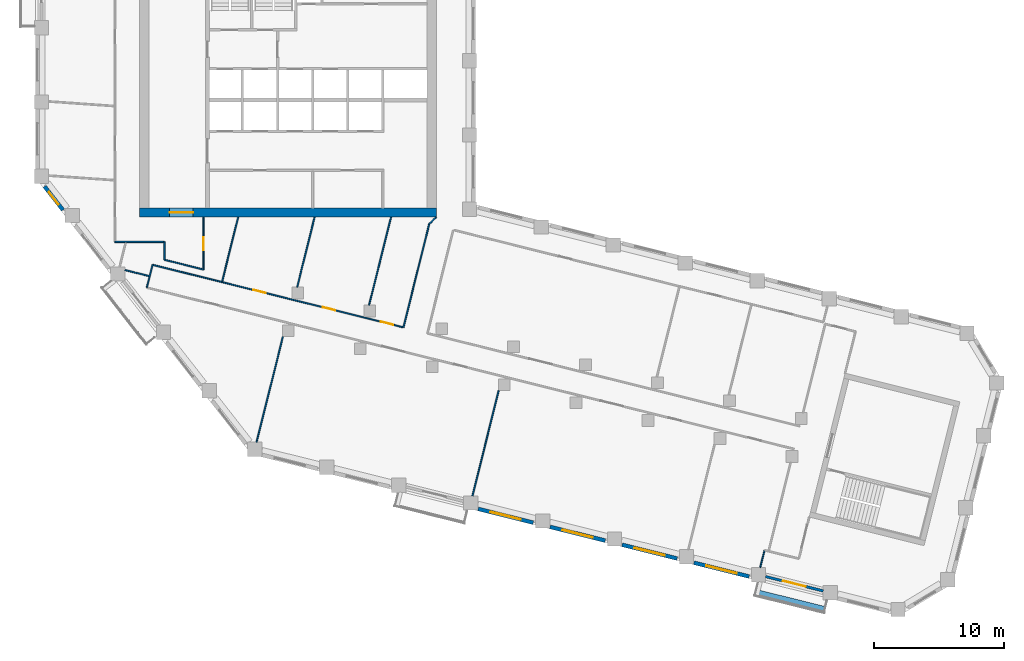
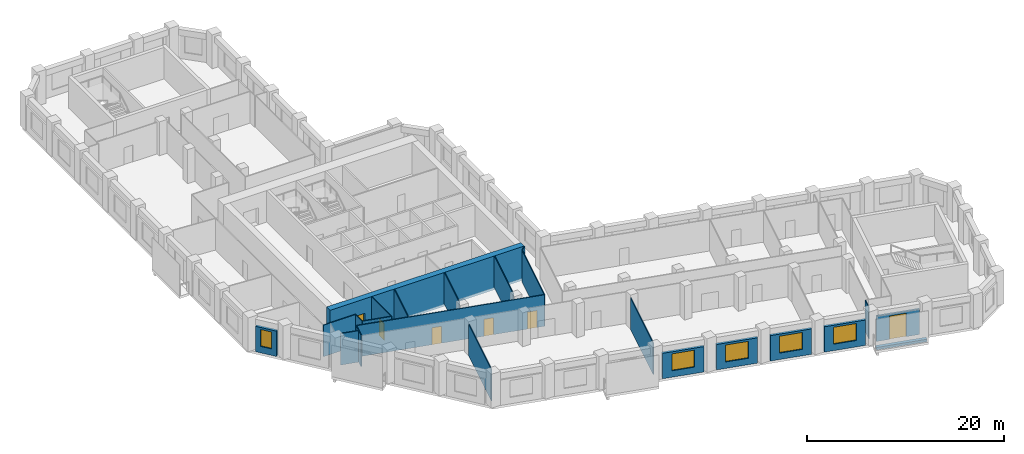
# One storey, part 3 of 10: 23 walls, 6 doors, 5 windows, 11 openings.
"""IFC4 building model written with IfcOpenShell, lengths in metres."""

import ifcopenshell
import ifcopenshell.guid

model = None  # the IFC model being written
_history = None  # IfcOwnerHistory: only IFC2X3 demands one
_inside = {}  # id of a spatial element -> (the spatial element, [elements in it])
_under = {}  # id of a project, library or spatial element -> (it, [spatial elements below it])
_declared = {}  # id of a project -> (the project, [libraries it declares])
_typed = {}  # id of a type object -> (the type object, [elements of that type])
_made_of = {}  # id of a material, layer set ... -> (it, [elements and type objects made of it])


def new_model(schema):
    """Start an empty IFC model of exactly this schema.

    Asked for "IFC4X3", IfcOpenShell would pick the latest addendum, in which some entities
    have other attributes; the version numbers below select the first issue.
    IFC2X3 requires an IfcOwnerHistory on every rooted entity: one is made here for all.
    """
    global model, _history
    if schema == "IFC4X3":
        model = ifcopenshell.file(schema_version=(4, 3, 0, 0))
    else:
        model = ifcopenshell.file(schema=schema)
    _inside.clear()
    _under.clear()
    _declared.clear()
    _typed.clear()
    _made_of.clear()
    _history = None
    if model.schema == "IFC2X3":
        org = make("IfcOrganization", Name="unknown")
        user = make(
            "IfcPersonAndOrganization",
            ThePerson=make("IfcPerson", FamilyName="unknown"),
            TheOrganization=org,
        )
        app = make(
            "IfcApplication",
            ApplicationDeveloper=org,
            Version="unknown",
            ApplicationFullName="unknown",
            ApplicationIdentifier="unknown",
        )
        _history = make(
            "IfcOwnerHistory",
            OwningUser=user,
            OwningApplication=app,
            ChangeAction="ADDED",
            CreationDate=0,
        )
    return model


def make(cls, **values):
    """One entity of the class cls with the attributes given. An attribute that is None is left unset."""
    return model.create_entity(
        cls, **{name: value for name, value in values.items() if value is not None}
    )


def rooted(cls, **values):
    """An entity with a GlobalId (a new one), such as an element, a storey or a relation."""
    return make(cls, GlobalId=ifcopenshell.guid.new(), OwnerHistory=_history, **values)


def si_unit(unit_type, name, prefix=None):
    """IfcSIUnit, for example si_unit("LENGTHUNIT", "METRE", prefix="MILLI")."""
    return make("IfcSIUnit", UnitType=unit_type, Prefix=prefix, Name=name)


def assignment(units):
    """IfcUnitAssignment: the units of a project."""
    return None if units is None else make("IfcUnitAssignment", Units=units)


def point(xyz):
    """IfcCartesianPoint."""
    return None if xyz is None else make("IfcCartesianPoint", Coordinates=xyz)


def direction(xyz):
    """IfcDirection."""
    return None if xyz is None else make("IfcDirection", DirectionRatios=xyz)


def frame(location, z_axis=None, x_axis=None):
    """IfcAxis2Placement3D, a coordinate frame: its origin and axes. An axis left out is left unset."""
    return make(
        "IfcAxis2Placement3D",
        Location=point(location),
        Axis=direction(z_axis),
        RefDirection=direction(x_axis),
    )


def frame_2d(location, x_axis=None):
    """IfcAxis2Placement2D, a coordinate frame in the plane: its origin and x axis."""
    return make(
        "IfcAxis2Placement2D", Location=point(location), RefDirection=direction(x_axis)
    )


def origin():
    """The frame at (0, 0, 0) with its axes left unset."""
    return frame((0.0, 0.0, 0.0))


def place(relative_to, where):
    """IfcLocalPlacement: puts the frame where relative to a parent placement (None: the world)."""
    return make(
        "IfcLocalPlacement", PlacementRelTo=relative_to, RelativePlacement=where
    )


def context(
    kind, dimensions, precision=None, world=None, true_north=None, identifier=None
):
    """IfcGeometricRepresentationContext, for example the 3D "Model" context."""
    return make(
        "IfcGeometricRepresentationContext",
        ContextIdentifier=identifier,
        ContextType=kind,
        CoordinateSpaceDimension=dimensions,
        Precision=precision,
        WorldCoordinateSystem=world,
        TrueNorth=true_north,
    )


def subcontext(parent, identifier, kind, view, scale=None):
    """IfcGeometricRepresentationSubContext, for example "Body" below "Model"."""
    return make(
        "IfcGeometricRepresentationSubContext",
        ContextIdentifier=identifier,
        ContextType=kind,
        ParentContext=parent,
        TargetScale=scale,
        TargetView=view,
    )


def project(units=None, contexts=None):
    """IfcProject with its units and contexts."""
    return rooted(
        "IfcProject",
        Name="project",
        RepresentationContexts=contexts,
        UnitsInContext=assignment(units),
    )


def spatial(cls, under=None, at=None, **own):
    """A site, building, storey or space (cls), placed at a placement, below another one or the project."""
    s = rooted(cls, ObjectPlacement=at, **own)
    if under is not None:
        _under.setdefault(under.id(), (under, []))[1].append(s)
    return s


def profile(cls, at=None, kind="AREA", **sizes):
    """A parametric profile (cls). Its sizes go by their IFC names, for example OverallWidth=200.0."""
    return make(cls, ProfileType=kind, Position=at, **sizes)


def rectangle(**sizes):
    """IfcRectangleProfileDef."""
    return profile("IfcRectangleProfileDef", **sizes)


def extrude(swept, where, along, depth):
    """IfcExtrudedAreaSolid: the profile swept, set in the frame where, extruded along a direction by depth."""
    return make(
        "IfcExtrudedAreaSolid",
        SweptArea=swept,
        Position=where,
        ExtrudedDirection=direction(along),
        Depth=depth,
    )


def shape(context_of_items, identifier, shape_type, items):
    """IfcShapeRepresentation: the items that make up one representation, for example the "Body"."""
    return make(
        "IfcShapeRepresentation",
        ContextOfItems=context_of_items,
        RepresentationIdentifier=identifier,
        RepresentationType=shape_type,
        Items=items,
    )


def material(Name=None, Category=None):
    """IfcMaterial."""
    return make("IfcMaterial", Name=Name, Category=Category)


def layer(
    of_material, thickness, ventilated=None, Name=None, Category=None, Priority=None
):
    """IfcMaterialLayer: one layer of a wall or slab, of a material (None: an air gap)."""
    return make(
        "IfcMaterialLayer",
        Material=of_material,
        LayerThickness=thickness,
        IsVentilated=ventilated,
        Name=Name,
        Category=Category,
        Priority=Priority,
    )


def layer_set(layers, Name=None):
    """IfcMaterialLayerSet."""
    return make("IfcMaterialLayerSet", MaterialLayers=layers, LayerSetName=Name)


def made_of(thing, what):
    """Note that an element or type object is made of a material, layer set ...; save() writes the relation."""
    if what is not None:
        _made_of.setdefault(what.id(), (what, []))[1].append(thing)
    return thing


def type_object(cls, material=None, **own):
    """A type object (cls), such as IfcWallType, which elements share."""
    return made_of(rooted(cls, **own), material)


def element(
    cls,
    number,
    at=None,
    inside=None,
    cuts=None,
    type_object=None,
    material=None,
    context=None,
    identifier="Body",
    shape_type=None,
    held_by="IfcProductDefinitionShape",
    body=None,
    shapes=None,
    **own,
):
    """One element of the class cls, such as IfcWall. Its Tag is "e" and its number.

    at: its placement. inside: the storey or other place that contains it. cuts: it is an
    opening in that element (IfcRelVoidsElement). A single representation is given by context,
    identifier, shape_type and body (its items); several are given by shapes. held_by: the class
    of the entity that holds the representations. save() writes the other relations.
    """
    e = rooted(cls, Tag="e%d" % number, ObjectPlacement=at, **own)
    if body is not None:
        shapes = [shape(context, identifier, shape_type, body)]
    if shapes is not None:
        e.Representation = make(held_by, Representations=shapes)
    if inside is not None:
        _inside.setdefault(inside.id(), (inside, []))[1].append(e)
    if cuts is not None:
        rooted(
            "IfcRelVoidsElement", RelatingBuildingElement=cuts, RelatedOpeningElement=e
        )
    if type_object is not None:
        _typed.setdefault(type_object.id(), (type_object, []))[1].append(e)
    return made_of(e, material)


def fill(opening, filler):
    """IfcRelFillsElement: the door or window that sits in an opening."""
    return rooted(
        "IfcRelFillsElement",
        RelatingOpeningElement=opening,
        RelatedBuildingElement=filler,
    )


def aggregate(whole, parts):
    """IfcRelAggregates: a whole, such as a stair, and the parts it consists of."""
    return rooted("IfcRelAggregates", RelatingObject=whole, RelatedObjects=parts)


def save(model, path):
    """Write the relations noted so far, then the file.

    IfcRelAggregates (storeys below a building ...), IfcRelContainedInSpatialStructure (elements
    in a storey), IfcRelDefinesByType, IfcRelAssociatesMaterial and IfcRelDeclares: one each for
    every whole, place, type object, material and project.
    """
    for whole, parts in _under.values():
        aggregate(whole, parts)
    for where, things in _inside.values():
        rooted(
            "IfcRelContainedInSpatialStructure",
            RelatedElements=things,
            RelatingStructure=where,
        )
    for kind, things in _typed.values():
        rooted("IfcRelDefinesByType", RelatedObjects=things, RelatingType=kind)
    for what, things in _made_of.values():
        rooted("IfcRelAssociatesMaterial", RelatedObjects=things, RelatingMaterial=what)
    for by, libraries in _declared.values():
        rooted("IfcRelDeclares", RelatingContext=by, RelatedDefinitions=libraries)
    model.write(path)


model = new_model("IFC4")

# Units and contexts
model_context = context("Model", 3, precision=1e-05, world=origin(), true_north=direction((0.0, 1.0)))
body_context = subcontext(model_context, "Body", "Model", "MODEL_VIEW")
ifc_project = project(units=[si_unit("LENGTHUNIT", "METRE"), si_unit("AREAUNIT", "SQUARE_METRE"), si_unit("VOLUMEUNIT", "CUBIC_METRE"), si_unit("PLANEANGLEUNIT", "RADIAN"), si_unit("MASSUNIT", "GRAM", prefix="KILO")], contexts=[model_context])

# Site, building, storey
site_placement = place(None, origin())
site = spatial("IfcSite", under=ifc_project, at=site_placement, CompositionType="ELEMENT")
building_placement = place(site_placement, origin())
building = spatial("IfcBuilding", under=site, at=building_placement, Name="Meshkara Civic Tower", CompositionType="ELEMENT")
storey_placement = place(building_placement, frame((0.0, 0.0, 267.60009765625)))
storey = spatial("IfcBuildingStorey", under=building, at=storey_placement, Name="L61", CompositionType="ELEMENT", Elevation=267.60009765625)

# Wall, opening, door
ifc_material_1 = material(Name="Concrete C60", Category="concrete")
ifc_layer_1 = layer(ifc_material_1, 0.699951171875)
ifc_layer_set_1 = layer_set([ifc_layer_1], Name="Core ring wall 700 C60")
wall_type_1 = type_object("IfcWallType", Name="Core ring wall 700 C60", PredefinedType="SHEAR", material=ifc_layer_set_1)
wall_1_placement = place(storey_placement, frame((8.0, 14.449951171875, -0.300048828125), z_axis=(0.0, 0.0, 1.0), x_axis=(1.0, 0.0, 0.0)))
wall_1 = element("IfcWall", 1, at=wall_1_placement, inside=storey, type_object=wall_type_1, Name="L61-C001", PredefinedType="SHEAR", context=body_context, shape_type="SweptSolid", body=[
    extrude(rectangle(XDim=22.800048828125, YDim=0.699951171875, at=frame_2d((11.39990234375, 0.0))), origin(), (0.0, 0.0, 1.0), 4.199951171875),
])
opening_1_placement = place(wall_1_placement, frame((2.300048828125, 0.0, 0.300048828125)))
opening_1 = element("IfcOpeningElement", 2, at=opening_1_placement, cuts=wall_1, Name="Opening L61-K020", PredefinedType="OPENING", context=body_context, shape_type="SweptSolid", body=[
    extrude(rectangle(XDim=1.800048828125, YDim=2.10009765625, at=frame_2d((0.89990234375, 1.050048828125))), frame((0.0, 0.35986328125, 0.0), z_axis=(0.0, -1.0, 0.0), x_axis=(1.0, 0.0, 0.0)), (0.0, 0.0, 1.0), 0.719970703125),
])
ifc_material_2 = material(Name="Fire-rated door leaf in steel frame", Category="steel")
door_type_1 = type_object("IfcDoorType", Name="Core double door 1800 EI 60", OperationType="DOUBLE_DOOR_SINGLE_SWING", PredefinedType="DOOR", material=ifc_material_2)
door_1_placement = place(opening_1_placement, origin())
door_1 = element("IfcDoor", 3, at=door_1_placement, inside=storey, type_object=door_type_1, Name="L61-K020", OperationType="DOUBLE_DOOR_SINGLE_SWING", OverallHeight=2.10009765625, OverallWidth=1.800048828125, PredefinedType="DOOR", context=body_context, shape_type="SweptSolid", body=[
    extrude(rectangle(XDim=1.800048828125, YDim=2.10009765625, at=frame_2d((0.89990234375, 1.050048828125))), frame((0.0, 0.02490234375, 0.0), z_axis=(0.0, -1.0, 0.0), x_axis=(1.0, 0.0, 0.0)), (0.0, 0.0, 1.0), 0.050048828125),
])
fill(opening_1, door_1)

# Wall
ifc_material_3 = material(Name="Corridor wall 100")
ifc_layer_2 = layer(ifc_material_3, 0.10009765625)
ifc_layer_set_2 = layer_set([ifc_layer_2], Name="Corridor wall 100")
wall_type_2 = type_object("IfcWallType", Name="Corridor wall 100", PredefinedType="PARTITIONING", material=ifc_layer_set_2)
wall_2_placement = place(storey_placement, frame((6.10009765625, 12.199951171875, 0.0), z_axis=(0.0, 0.0, 1.0), x_axis=(1.0, 0.0, 0.0)))
element("IfcWall", 4, at=wall_2_placement, inside=storey, type_object=wall_type_2, Name="L61-W004", PredefinedType="PARTITIONING", context=body_context, shape_type="SweptSolid", body=[
    extrude(rectangle(XDim=3.7998046875, YDim=0.10009765625, at=frame_2d((1.89990234375, 0.0))), origin(), (0.0, 0.0, 1.0), 3.89990234375),
])

# Wall, openings, doors
wall_3_placement = place(storey_placement, frame((8.988037109375, 10.43994140625, 0.0), z_axis=(0.0, 0.0, 1.0), x_axis=(0.970301223092, -0.241899848006, 0.0)))
wall_3 = element("IfcWall", 5, at=wall_3_placement, inside=storey, type_object=wall_type_2, Name="L61-W007", PredefinedType="PARTITIONING", context=body_context, shape_type="SweptSolid", body=[
    extrude(rectangle(XDim=19.87939453125, YDim=0.10009765625, at=frame_2d((9.939697265625, 0.0))), origin(), (0.0, 0.0, 1.0), 3.89990234375),
])
opening_2_placement = place(wall_3_placement, frame((18.0830078125, 0.0, 0.0)))
opening_2 = element("IfcOpeningElement", 6, at=opening_2_placement, cuts=wall_3, Name="Opening L61-D005", PredefinedType="OPENING", context=body_context, shape_type="SweptSolid", body=[
    extrude(rectangle(XDim=1.0, YDim=2.10009765625, at=frame_2d((0.5, 1.050048828125))), frame((0.0, 0.06005859375, 0.0), z_axis=(0.0, -1.0, 0.0), x_axis=(1.0, 0.0, 0.0)), (0.0, 0.0, 1.0), 0.1201171875),
])
opening_3_placement = place(wall_3_placement, frame((7.98291015625, 0.0, 0.0)))
opening_3 = element("IfcOpeningElement", 7, at=opening_3_placement, cuts=wall_3, Name="Opening L61-D011", PredefinedType="OPENING", context=body_context, shape_type="SweptSolid", body=[
    extrude(rectangle(XDim=1.0, YDim=2.10009765625, at=frame_2d((0.5, 1.050048828125))), frame((0.0, 0.06005859375, 0.0), z_axis=(0.0, -1.0, 0.0), x_axis=(1.0, 0.0, 0.0)), (0.0, 0.0, 1.0), 0.1201171875),
])
opening_4_placement = place(wall_3_placement, frame((13.48291015625, 0.0, 0.0)))
opening_4 = element("IfcOpeningElement", 8, at=opening_4_placement, cuts=wall_3, Name="Opening L61-D012", PredefinedType="OPENING", context=body_context, shape_type="SweptSolid", body=[
    extrude(rectangle(XDim=1.0, YDim=2.10009765625, at=frame_2d((0.5, 1.050048828125))), frame((0.0, 0.06005859375, 0.0), z_axis=(0.0, -1.0, 0.0), x_axis=(1.0, 0.0, 0.0)), (0.0, 0.0, 1.0), 0.1201171875),
])
ifc_material_4 = material(Name="Door 1000 x 2100")
door_type_2 = type_object("IfcDoorType", Name="Door 1000 x 2100", OperationType="SINGLE_SWING_LEFT", PredefinedType="DOOR", material=ifc_material_4)
door_2_placement = place(opening_2_placement, origin())
door_2 = element("IfcDoor", 9, at=door_2_placement, inside=storey, type_object=door_type_2, Name="L61-D005", OperationType="SINGLE_SWING_RIGHT", OverallHeight=2.10009765625, OverallWidth=1.0, PredefinedType="DOOR", context=body_context, shape_type="SweptSolid", body=[
    extrude(rectangle(XDim=1.0, YDim=2.10009765625, at=frame_2d((0.5, 1.050048828125))), frame((0.0, 0.02490234375, 0.0), z_axis=(0.0, -1.0, 0.0), x_axis=(1.0, 0.0, 0.0)), (0.0, 0.0, 1.0), 0.050048828125),
])
fill(opening_2, door_2)
door_3_placement = place(opening_3_placement, origin())
door_3 = element("IfcDoor", 10, at=door_3_placement, inside=storey, type_object=door_type_2, Name="L61-D011", OperationType="SINGLE_SWING_RIGHT", OverallHeight=2.10009765625, OverallWidth=1.0, PredefinedType="DOOR", context=body_context, shape_type="SweptSolid", body=[
    extrude(rectangle(XDim=1.0, YDim=2.10009765625, at=frame_2d((0.5, 1.050048828125))), frame((0.0, 0.02490234375, 0.0), z_axis=(0.0, -1.0, 0.0), x_axis=(1.0, 0.0, 0.0)), (0.0, 0.0, 1.0), 0.050048828125),
])
fill(opening_3, door_3)
door_4_placement = place(opening_4_placement, origin())
door_4 = element("IfcDoor", 11, at=door_4_placement, inside=storey, type_object=door_type_2, Name="L61-D012", OperationType="SINGLE_SWING_LEFT", OverallHeight=2.10009765625, OverallWidth=1.0, PredefinedType="DOOR", context=body_context, shape_type="SweptSolid", body=[
    extrude(rectangle(XDim=1.0, YDim=2.10009765625, at=frame_2d((0.5, 1.050048828125))), frame((0.0, 0.02490234375, 0.0), z_axis=(0.0, -1.0, 0.0), x_axis=(1.0, 0.0, 0.0)), (0.0, 0.0, 1.0), 0.050048828125),
])
fill(opening_4, door_4)

# Walls
wall_4_placement = place(storey_placement, frame((8.988037109375, 10.43994140625, 0.0), z_axis=(0.0, 0.0, 1.0), x_axis=(-0.242154485745, -0.970237705428, 0.0)))
element("IfcWall", 12, at=wall_4_placement, inside=storey, type_object=wall_type_2, Name="L61-W008", PredefinedType="PARTITIONING", context=body_context, shape_type="SweptSolid", body=[
    extrude(rectangle(XDim=1.80859375, YDim=0.10009765625, at=frame_2d((0.904296875, 0.0))), origin(), (0.0, 0.0, 1.0), 3.89990234375),
])
wall_5_placement = place(storey_placement, frame((9.89990234375, 10.825927734375, 0.0), z_axis=(0.0, 0.0, 1.0), x_axis=(0.970290953223, -0.241941038466, 0.0)))
element("IfcWall", 13, at=wall_5_placement, inside=storey, type_object=wall_type_2, Name="L61-W009", PredefinedType="PARTITIONING", context=body_context, shape_type="SweptSolid", body=[
    extrude(rectangle(XDim=3.091796875, YDim=0.10009765625, at=frame_2d((1.5458984375, 0.0))), origin(), (0.0, 0.0, 1.0), 3.89990234375),
])
wall_6_placement = place(storey_placement, frame((9.89990234375, 12.199951171875, 0.0), z_axis=(0.0, 0.0, 1.0), x_axis=(0.0, -1.0, 0.0)))
element("IfcWall", 14, at=wall_6_placement, inside=storey, type_object=wall_type_2, Name="L61-W010", PredefinedType="PARTITIONING", context=body_context, shape_type="SweptSolid", body=[
    extrude(rectangle(XDim=1.3740234375, YDim=0.10009765625, at=frame_2d((0.68701171875, 0.0))), origin(), (0.0, 0.0, 1.0), 3.89990234375),
])

# Wall, opening, door
wall_7_placement = place(storey_placement, frame((12.89990234375, 10.077880859375, 0.0), z_axis=(0.0, 0.0, 1.0), x_axis=(0.0, 1.0, 0.0)))
wall_7 = element("IfcWall", 15, at=wall_7_placement, inside=storey, type_object=wall_type_2, Name="L61-W014", PredefinedType="PARTITIONING", context=body_context, shape_type="SweptSolid", body=[
    extrude(rectangle(XDim=4.022216796875, YDim=0.10009765625, at=frame_2d((2.01123046875, 0.0))), origin(), (0.0, 0.0, 1.0), 3.89990234375),
])
opening_5_placement = place(wall_7_placement, frame((1.47998046875, 0.0, 0.0)))
opening_5 = element("IfcOpeningElement", 16, at=opening_5_placement, cuts=wall_7, Name="Opening L61-D017", PredefinedType="OPENING", context=body_context, shape_type="SweptSolid", body=[
    extrude(rectangle(XDim=1.0, YDim=2.10009765625, at=frame_2d((0.5, 1.050048828125))), frame((0.0, 0.06005859375, 0.0), z_axis=(0.0, -1.0, 0.0), x_axis=(1.0, 0.0, 0.0)), (0.0, 0.0, 1.0), 0.1201171875),
])
door_5_placement = place(opening_5_placement, origin())
door_5 = element("IfcDoor", 17, at=door_5_placement, inside=storey, type_object=door_type_2, Name="L61-D017", OperationType="SINGLE_SWING_RIGHT", OverallHeight=2.10009765625, OverallWidth=1.0, PredefinedType="DOOR", context=body_context, shape_type="SweptSolid", body=[
    extrude(rectangle(XDim=1.0, YDim=2.10009765625, at=frame_2d((0.5, 1.050048828125))), frame((0.0, 0.02490234375, 0.0), z_axis=(0.0, -1.0, 0.0), x_axis=(1.0, 0.0, 0.0)), (0.0, 0.0, 1.0), 0.050048828125),
])
fill(opening_5, door_5)

# Walls
wall_8_placement = place(storey_placement, frame((30.259033203125, 13.5830078125, 0.0), z_axis=(0.0, 0.0, 1.0), x_axis=(-0.241841612879, -0.970315739479, 0.0)))
element("IfcWall", 18, at=wall_8_placement, inside=storey, type_object=wall_type_2, Name="L61-W023", PredefinedType="PARTITIONING", context=body_context, shape_type="SweptSolid", body=[
    extrude(rectangle(XDim=8.195068359375, YDim=0.10009765625, at=frame_2d((4.09765625, 0.0))), origin(), (0.0, 0.0, 1.0), 3.89990234375),
])
wall_9_placement = place(storey_placement, frame((30.800048828125, 14.10009765625, 0.0), z_axis=(0.0, 0.0, 1.0), x_axis=(-0.722911025189, -0.690941133281, 0.0)))
element("IfcWall", 19, at=wall_9_placement, inside=storey, type_object=wall_type_2, Name="L61-W024", PredefinedType="PARTITIONING", context=body_context, shape_type="SweptSolid", body=[
    extrude(rectangle(XDim=0.748291015625, YDim=0.10009765625, at=frame_2d((0.3740234375, 0.0))), origin(), (0.0, 0.0, 1.0), 3.89990234375),
])

# Wall, opening, window
ifc_material_5 = material(Name="Insulated infill panel with bronze anodised aluminium cladding", Category="aluminium")
ifc_layer_3 = layer(ifc_material_5, 0.300048828125)
ifc_layer_set_3 = layer_set([ifc_layer_3], Name="EXTERNAL INFILL WALL 300")
wall_type_3 = type_object("IfcWallType", Name="EXTERNAL INFILL WALL 300", PredefinedType="SOLIDWALL", material=ifc_layer_set_3)
wall_10_placement = place(storey_placement, frame((0.68896484375, 16.4619140625, 0.0), z_axis=(0.0, 0.0, 1.0), x_axis=(0.615625465473, -0.788038886262, 0.0)))
wall_10 = element("IfcWall", 20, at=wall_10_placement, inside=storey, type_object=wall_type_3, Name="External wall", PredefinedType="SOLIDWALL", context=body_context, shape_type="SweptSolid", body=[
    extrude(rectangle(XDim=2.29541015625, YDim=0.300048828125, at=frame_2d((1.147705078125, 0.0))), origin(), (0.0, 0.0, 1.0), 3.14990234375),
])
opening_6_placement = place(wall_10_placement, frame((0.548095703125, 0.0, 0.800048828125)))
opening_6 = element("IfcOpeningElement", 21, at=opening_6_placement, cuts=wall_10, Name="Opening W3", PredefinedType="OPENING", context=body_context, shape_type="SweptSolid", body=[
    extrude(rectangle(XDim=1.199951171875, YDim=2.10009765625, at=frame_2d((0.60009765625, 1.050048828125))), frame((0.0, 0.159912109375, 0.0), z_axis=(0.0, -1.0, 0.0), x_axis=(1.0, 0.0, 0.0)), (0.0, 0.0, 1.0), 0.320068359375),
])
ifc_material_6 = material(Name="Tinted double glazing", Category="glass")
window_type_1 = type_object("IfcWindowType", Name="WINDOW 1200x2100", PartitioningType="SINGLE_PANEL", PredefinedType="WINDOW", material=ifc_material_6)
window_1_placement = place(opening_6_placement, origin())
window_1 = element("IfcWindow", 22, at=window_1_placement, inside=storey, type_object=window_type_1, Name="Window", OverallHeight=2.10009765625, OverallWidth=1.199951171875, PartitioningType="SINGLE_PANEL", PredefinedType="WINDOW", context=body_context, shape_type="SweptSolid", body=[
    extrude(rectangle(XDim=1.199951171875, YDim=2.10009765625, at=frame_2d((0.60009765625, 1.050048828125))), frame((0.0, 0.030029296875, 0.0), z_axis=(0.0, -1.0, 0.0), x_axis=(1.0, 0.0, 0.0)), (0.0, 0.0, 1.0), 0.06005859375),
])
fill(opening_6, window_1)

wall_11_placement = place(storey_placement, frame((34.01708984375, -8.326904296875, 0.0), z_axis=(0.0, 0.0, 1.0), x_axis=(0.970306725873, -0.241877774353, 0.0)))
wall_11 = element("IfcWall", 23, at=wall_11_placement, inside=storey, type_object=wall_type_3, Name="External wall", PredefinedType="SOLIDWALL", context=body_context, shape_type="SweptSolid", body=[
    extrude(rectangle(XDim=4.366455078125, YDim=0.300048828125, at=frame_2d((2.18310546875, 0.0))), origin(), (0.0, 0.0, 1.0), 3.14990234375),
])
opening_7_placement = place(wall_11_placement, frame((0.98291015625, 0.0, 0.800048828125)))
opening_7 = element("IfcOpeningElement", 24, at=opening_7_placement, cuts=wall_11, Name="Opening W7", PredefinedType="OPENING", context=body_context, shape_type="SweptSolid", body=[
    extrude(rectangle(XDim=2.39990234375, YDim=2.10009765625, at=frame_2d((1.199951171875, 1.050048828125))), frame((0.0, 0.159912109375, 0.0), z_axis=(0.0, -1.0, 0.0), x_axis=(1.0, 0.0, 0.0)), (0.0, 0.0, 1.0), 0.320068359375),
])
ifc_material_7 = material(Name="Tinted double glazing", Category="glass")
window_type_2 = type_object("IfcWindowType", Name="WINDOW 2400x2100", PartitioningType="DOUBLE_PANEL_VERTICAL", PredefinedType="WINDOW", material=ifc_material_7)
window_2_placement = place(opening_7_placement, origin())
window_2 = element("IfcWindow", 25, at=window_2_placement, inside=storey, type_object=window_type_2, Name="Window", OverallHeight=2.10009765625, OverallWidth=2.39990234375, PartitioningType="DOUBLE_PANEL_VERTICAL", PredefinedType="WINDOW", context=body_context, shape_type="SweptSolid", body=[
    extrude(rectangle(XDim=2.39990234375, YDim=2.10009765625, at=frame_2d((1.199951171875, 1.050048828125))), frame((0.0, 0.030029296875, 0.0), z_axis=(0.0, -1.0, 0.0), x_axis=(1.0, 0.0, 0.0)), (0.0, 0.0, 1.0), 0.06005859375),
])
fill(opening_7, window_2)

wall_12_placement = place(storey_placement, frame((39.548095703125, -9.7060546875, 0.0), z_axis=(0.0, 0.0, 1.0), x_axis=(0.970319847058, -0.241825131873, 0.0)))
wall_12 = element("IfcWall", 26, at=wall_12_placement, inside=storey, type_object=wall_type_3, Name="External wall", PredefinedType="SOLIDWALL", context=body_context, shape_type="SweptSolid", body=[
    extrude(rectangle(XDim=4.366455078125, YDim=0.300048828125, at=frame_2d((2.18310546875, 0.0))), origin(), (0.0, 0.0, 1.0), 3.14990234375),
])
opening_8_placement = place(wall_12_placement, frame((0.98291015625, 0.0, 0.800048828125)))
opening_8 = element("IfcOpeningElement", 27, at=opening_8_placement, cuts=wall_12, Name="Opening W7", PredefinedType="OPENING", context=body_context, shape_type="SweptSolid", body=[
    extrude(rectangle(XDim=2.39990234375, YDim=2.10009765625, at=frame_2d((1.199951171875, 1.050048828125))), frame((0.0, 0.159912109375, 0.0), z_axis=(0.0, -1.0, 0.0), x_axis=(1.0, 0.0, 0.0)), (0.0, 0.0, 1.0), 0.320068359375),
])
window_3_placement = place(opening_8_placement, origin())
window_3 = element("IfcWindow", 28, at=window_3_placement, inside=storey, type_object=window_type_2, Name="Window", OverallHeight=2.10009765625, OverallWidth=2.39990234375, PartitioningType="DOUBLE_PANEL_VERTICAL", PredefinedType="WINDOW", context=body_context, shape_type="SweptSolid", body=[
    extrude(rectangle(XDim=2.39990234375, YDim=2.10009765625, at=frame_2d((1.199951171875, 1.050048828125))), frame((0.0, 0.030029296875, 0.0), z_axis=(0.0, -1.0, 0.0), x_axis=(1.0, 0.0, 0.0)), (0.0, 0.0, 1.0), 0.06005859375),
])
fill(opening_8, window_3)

wall_13_placement = place(storey_placement, frame((45.0791015625, -11.0849609375, 0.0), z_axis=(0.0, 0.0, 1.0), x_axis=(0.970293636985, -0.241930275135, 0.0)))
wall_13 = element("IfcWall", 29, at=wall_13_placement, inside=storey, type_object=wall_type_3, Name="External wall", PredefinedType="SOLIDWALL", context=body_context, shape_type="SweptSolid", body=[
    extrude(rectangle(XDim=4.365478515625, YDim=0.300048828125, at=frame_2d((2.1826171875, 0.0))), origin(), (0.0, 0.0, 1.0), 3.14990234375),
])
opening_9_placement = place(wall_13_placement, frame((0.98291015625, 0.0, 0.800048828125)))
opening_9 = element("IfcOpeningElement", 30, at=opening_9_placement, cuts=wall_13, Name="Opening W7", PredefinedType="OPENING", context=body_context, shape_type="SweptSolid", body=[
    extrude(rectangle(XDim=2.39990234375, YDim=2.10009765625, at=frame_2d((1.199951171875, 1.050048828125))), frame((0.0, 0.159912109375, 0.0), z_axis=(0.0, -1.0, 0.0), x_axis=(1.0, 0.0, 0.0)), (0.0, 0.0, 1.0), 0.320068359375),
])
window_4_placement = place(opening_9_placement, origin())
window_4 = element("IfcWindow", 31, at=window_4_placement, inside=storey, type_object=window_type_2, Name="Window", OverallHeight=2.10009765625, OverallWidth=2.39990234375, PartitioningType="DOUBLE_PANEL_VERTICAL", PredefinedType="WINDOW", context=body_context, shape_type="SweptSolid", body=[
    extrude(rectangle(XDim=2.39990234375, YDim=2.10009765625, at=frame_2d((1.199951171875, 1.050048828125))), frame((0.0, 0.030029296875, 0.0), z_axis=(0.0, -1.0, 0.0), x_axis=(1.0, 0.0, 0.0)), (0.0, 0.0, 1.0), 0.06005859375),
])
fill(opening_9, window_4)

wall_14_placement = place(storey_placement, frame((50.60888671875, -12.462890625, 0.0), z_axis=(0.0, 0.0, 1.0), x_axis=(0.970257492536, -0.242075191166, 0.0)))
wall_14 = element("IfcWall", 32, at=wall_14_placement, inside=storey, type_object=wall_type_3, Name="External wall", PredefinedType="SOLIDWALL", context=body_context, shape_type="SweptSolid", body=[
    extrude(rectangle(XDim=4.366943359375, YDim=0.300048828125, at=frame_2d((2.18359375, 0.0))), origin(), (0.0, 0.0, 1.0), 3.14990234375),
])
opening_10_placement = place(wall_14_placement, frame((0.98291015625, 0.0, 0.800048828125)))
opening_10 = element("IfcOpeningElement", 33, at=opening_10_placement, cuts=wall_14, Name="Opening W7", PredefinedType="OPENING", context=body_context, shape_type="SweptSolid", body=[
    extrude(rectangle(XDim=2.39990234375, YDim=2.10009765625, at=frame_2d((1.199951171875, 1.050048828125))), frame((0.0, 0.159912109375, 0.0), z_axis=(0.0, -1.0, 0.0), x_axis=(1.0, 0.0, 0.0)), (0.0, 0.0, 1.0), 0.320068359375),
])
window_5_placement = place(opening_10_placement, origin())
window_5 = element("IfcWindow", 34, at=window_5_placement, inside=storey, type_object=window_type_2, Name="Window", OverallHeight=2.10009765625, OverallWidth=2.39990234375, PartitioningType="DOUBLE_PANEL_VERTICAL", PredefinedType="WINDOW", context=body_context, shape_type="SweptSolid", body=[
    extrude(rectangle(XDim=2.39990234375, YDim=2.10009765625, at=frame_2d((1.199951171875, 1.050048828125))), frame((0.0, 0.030029296875, 0.0), z_axis=(0.0, -1.0, 0.0), x_axis=(1.0, 0.0, 0.0)), (0.0, 0.0, 1.0), 0.06005859375),
])
fill(opening_10, window_5)

# Wall, opening, door
ifc_material_8 = material(Name="Insulated infill panel with bronze anodised aluminium cladding", Category="aluminium")
ifc_layer_4 = layer(ifc_material_8, 0.199951171875)
ifc_layer_set_4 = layer_set([ifc_layer_4], Name="LOGGIA BACK WALL 200")
wall_type_4 = type_object("IfcWallType", Name="LOGGIA BACK WALL 200", PredefinedType="SOLIDWALL", material=ifc_layer_set_4)
wall_15_placement = place(storey_placement, frame((56.115966796875, -13.527099609375, 0.0), z_axis=(0.0, 0.0, 1.0), x_axis=(0.970286982272, -0.241956963183, 0.0)))
wall_15 = element("IfcWall", 35, at=wall_15_placement, inside=storey, type_object=wall_type_4, Name="Loggia wall", PredefinedType="SOLIDWALL", context=body_context, shape_type="SweptSolid", body=[
    extrude(rectangle(XDim=4.56689453125, YDim=0.199951171875, at=frame_2d((2.283447265625, 0.0))), origin(), (0.0, 0.0, 1.0), 3.14990234375),
])
opening_11_placement = place(wall_15_placement, frame((1.383056640625, 0.0, 0.0)))
opening_11 = element("IfcOpeningElement", 36, at=opening_11_placement, cuts=wall_15, Name="Opening L61-L004", PredefinedType="OPENING", context=body_context, shape_type="SweptSolid", body=[
    extrude(rectangle(XDim=1.800048828125, YDim=2.89990234375, at=frame_2d((0.89990234375, 1.449951171875))), frame((0.0, 0.10986328125, 0.0), z_axis=(0.0, -1.0, 0.0), x_axis=(1.0, 0.0, 0.0)), (0.0, 0.0, 1.0), 0.219970703125),
])
ifc_material_9 = material(Name="Tinted double glazing", Category="glass")
door_type_3 = type_object("IfcDoorType", Name="LOGGIA DOOR 1800x2900", OperationType="DOUBLE_DOOR_SINGLE_SWING", PredefinedType="DOOR", material=ifc_material_9)
door_6_placement = place(opening_11_placement, origin())
door_6 = element("IfcDoor", 37, at=door_6_placement, inside=storey, type_object=door_type_3, Name="L61-L004", OperationType="DOUBLE_DOOR_SINGLE_SWING", OverallHeight=2.89990234375, OverallWidth=1.800048828125, PredefinedType="DOOR", context=body_context, shape_type="SweptSolid", body=[
    extrude(rectangle(XDim=1.800048828125, YDim=2.89990234375, at=frame_2d((0.89990234375, 1.449951171875))), frame((0.0, 0.02490234375, 0.0), z_axis=(0.0, -1.0, 0.0), x_axis=(1.0, 0.0, 0.0)), (0.0, 0.0, 1.0), 0.050048828125),
])
fill(opening_11, door_6)

# Walls
ifc_material_10 = material(Name="Concrete C40", Category="concrete")
ifc_layer_5 = layer(ifc_material_10, 0.39990234375)
ifc_layer_set_5 = layer_set([ifc_layer_5], Name="PLANTER TRAY")
wall_type_5 = type_object("IfcWallType", Name="PLANTER TRAY", PredefinedType="SOLIDWALL", material=ifc_layer_set_5)
wall_16_placement = place(storey_placement, frame((55.408935546875, -14.721923828125, 0.0), z_axis=(0.0, 0.0, 1.0), x_axis=(0.970324412772, -0.241806811275, 0.0)))
element("IfcWall", 38, at=wall_16_placement, inside=storey, type_object=wall_type_5, Name="Planter", PredefinedType="SOLIDWALL", context=body_context, shape_type="SweptSolid", body=[
    extrude(rectangle(XDim=5.3603515625, YDim=0.39990234375, at=frame_2d((2.68017578125, 0.0))), origin(), (0.0, 0.0, 1.0), 0.2998046875),
])
ifc_material_11 = material(Name="Partition 100")
ifc_layer_6 = layer(ifc_material_11, 0.10009765625)
ifc_layer_set_6 = layer_set([ifc_layer_6], Name="Partition 100")
wall_type_6 = type_object("IfcWallType", Name="Partition 100", PredefinedType="PARTITIONING", material=ifc_layer_set_6)
wall_17_placement = place(storey_placement, frame((8.719970703125, 9.573974609375, 0.0), z_axis=(0.0, 0.0, 1.0), x_axis=(-0.970240497311, 0.242143299263, 0.0)))
element("IfcWall", 39, at=wall_17_placement, inside=storey, type_object=wall_type_6, Name="L61-W040", PredefinedType="PARTITIONING", context=body_context, shape_type="SweptSolid", body=[
    extrude(rectangle(XDim=1.903564453125, YDim=0.10009765625, at=frame_2d((0.95166015625, 0.0))), origin(), (0.0, 0.0, 1.0), 3.89990234375),
])
wall_18_placement = place(storey_placement, frame((14.340087890625, 9.157958984375, 0.0), z_axis=(0.0, 0.0, 1.0), x_axis=(0.241870144538, 0.970308627799, 0.0)))
element("IfcWall", 40, at=wall_18_placement, inside=storey, type_object=wall_type_6, Name="L61-W041", PredefinedType="PARTITIONING", context=body_context, shape_type="SweptSolid", body=[
    extrude(rectangle(XDim=5.09326171875, YDim=0.10009765625, at=frame_2d((2.546630859375, 0.0))), origin(), (0.0, 0.0, 1.0), 3.89990234375),
])
wall_19_placement = place(storey_placement, frame((16.988037109375, -3.18798828125, 0.0), z_axis=(0.0, 0.0, 1.0), x_axis=(0.241922982745, 0.97029545522, 0.0)))
element("IfcWall", 41, at=wall_19_placement, inside=storey, type_object=wall_type_6, Name="L61-W042", PredefinedType="PARTITIONING", context=body_context, shape_type="SweptSolid", body=[
    extrude(rectangle(XDim=8.345703125, YDim=0.10009765625, at=frame_2d((4.1728515625, 0.0))), origin(), (0.0, 0.0, 1.0), 3.89990234375),
])
wall_20_placement = place(storey_placement, frame((20.10595703125, 8.720947265625, 0.0), z_axis=(0.0, 0.0, 1.0), x_axis=(0.24190349153, 0.970300314741, 0.0)))
element("IfcWall", 42, at=wall_20_placement, inside=storey, type_object=wall_type_6, Name="L61-W043", PredefinedType="PARTITIONING", context=body_context, shape_type="SweptSolid", body=[
    extrude(rectangle(XDim=5.543701171875, YDim=0.10009765625, at=frame_2d((2.77197265625, 0.0))), origin(), (0.0, 0.0, 1.0), 3.89990234375),
])
wall_21_placement = place(storey_placement, frame((25.635986328125, 7.342041015625, 0.0), z_axis=(0.0, 0.0, 1.0), x_axis=(0.241933497251, 0.970292833586, 0.0)))
element("IfcWall", 43, at=wall_21_placement, inside=storey, type_object=wall_type_6, Name="L61-W045", PredefinedType="PARTITIONING", context=body_context, shape_type="SweptSolid", body=[
    extrude(rectangle(XDim=6.965087890625, YDim=0.10009765625, at=frame_2d((3.482421875, 0.0))), origin(), (0.0, 0.0, 1.0), 3.89990234375),
])
wall_22_placement = place(storey_placement, frame((33.580078125, -7.324951171875, 0.0), z_axis=(0.0, 0.0, 1.0), x_axis=(0.241922982745, 0.97029545522, 0.0)))
element("IfcWall", 44, at=wall_22_placement, inside=storey, type_object=wall_type_6, Name="L61-W046", PredefinedType="PARTITIONING", context=body_context, shape_type="SweptSolid", body=[
    extrude(rectangle(XDim=8.345703125, YDim=0.10009765625, at=frame_2d((4.1728515625, 0.0))), origin(), (0.0, 0.0, 1.0), 3.89990234375),
])
wall_23_placement = place(storey_placement, frame((55.702880859375, -12.840087890625, 0.0), z_axis=(0.0, 0.0, 1.0), x_axis=(0.242327978011, 0.970194388292, 0.0)))
element("IfcWall", 45, at=wall_23_placement, inside=storey, type_object=wall_type_6, Name="L61-W050", PredefinedType="PARTITIONING", context=body_context, shape_type="SweptSolid", body=[
    extrude(rectangle(XDim=1.38330078125, YDim=0.10009765625, at=frame_2d((0.691650390625, 0.0))), origin(), (0.0, 0.0, 1.0), 3.89990234375),
])

save(model, "model.ifc")
